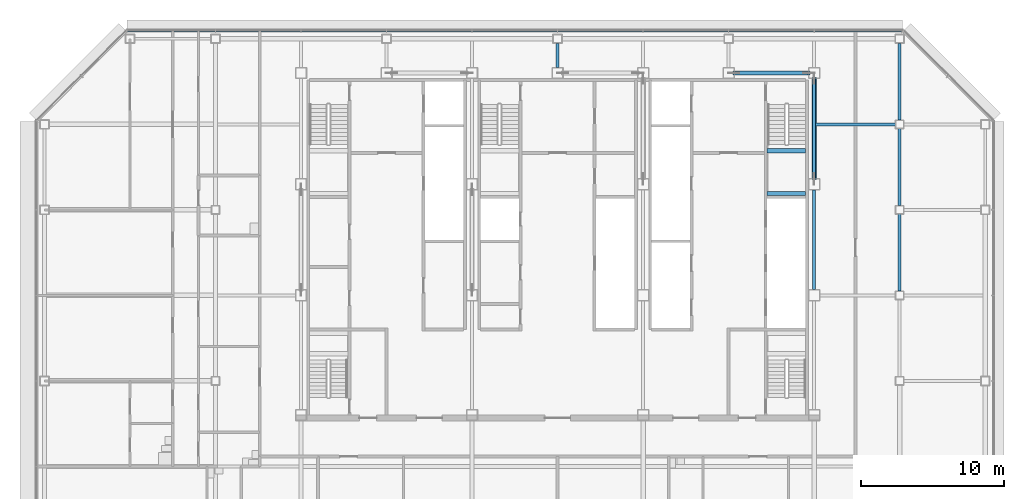
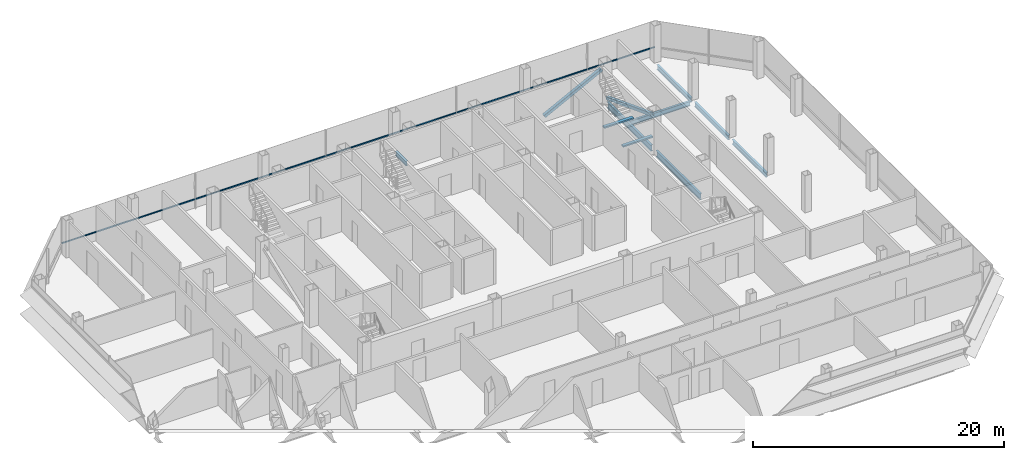
# One storey, part 14 of 26: 9 beams, 3 members, 1 element without a shape of its own.
"""IFC4 building model written with IfcOpenShell, lengths in metres."""

from ifc_helpers import new_model, si_unit, direction, frame, origin, origin_2d, place, context, subcontext, project, spatial, rectangle, hollow_rectangle, i_section, extrude, material, material_profile, profile_set, type_object, element, aggregate, save


model = new_model("IFC4")

# Units and contexts
model_context = context("Model", 3, precision=1e-05, world=origin(), true_north=direction((0.0, 1.0)))
body_context = subcontext(model_context, "Body", "Model", "MODEL_VIEW")
ifc_project = project(units=[si_unit("LENGTHUNIT", "METRE"), si_unit("AREAUNIT", "SQUARE_METRE"), si_unit("VOLUMEUNIT", "CUBIC_METRE"), si_unit("PLANEANGLEUNIT", "RADIAN"), si_unit("MASSUNIT", "GRAM", prefix="KILO")], contexts=[model_context])

# Site, building, storey
site_placement = place(None, origin())
site = spatial("IfcSite", under=ifc_project, at=site_placement, CompositionType="ELEMENT")
building_placement = place(site_placement, origin())
building = spatial("IfcBuilding", under=site, at=building_placement, Name="Sorahane Residences", CompositionType="ELEMENT")
storey_placement = place(building_placement, frame((0.0, 0.0, 222.60009765625)))
storey = spatial("IfcBuildingStorey", under=building, at=storey_placement, Name="L52", CompositionType="ELEMENT", Elevation=222.60009765625)

# Members
ifc_material_1 = material(Name="Steel Q355B", Category="steel")
ifc_material_profile_1 = material_profile(ifc_material_1, hollow_rectangle(XDim=0.300048828125, YDim=0.300048828125, WallThickness=0.01611328125, InnerFilletRadius=0.008056640625, OuterFilletRadius=0.02392578125, at=origin_2d()), Name="RHS 300x300x16")
ifc_profile_set_1 = profile_set([ifc_material_profile_1], Name="Steel Q355B")
member_type_1 = type_object("IfcMemberType", Name="Core brace RHS 300x300x16 Q355B", PredefinedType="BRACE", material=ifc_profile_set_1)
member_1_placement = place(storey_placement, frame((36.35888671875, 45.60009765625, 0.12890625), z_axis=(0.889590046837, 0.0, 0.45675983686), x_axis=(0.0, 1.0, 0.0)))
element("IfcMember", 1, at=member_1_placement, inside=storey, type_object=member_type_1, Name="Core brace L52 y45.6-6", PredefinedType="BRACE", context=body_context, shape_type="SweptSolid", body=[
    extrude(hollow_rectangle(XDim=0.300048828125, YDim=0.300048828125, WallThickness=0.01611328125, InnerFilletRadius=0.008056640625, OuterFilletRadius=0.02392578125, at=origin_2d()), origin(), (0.0, 0.0, 1.0), 5.937744140625),
])
member_2_placement = place(storey_placement, frame((42.0, 45.232177734375, 0.1376953125), z_axis=(0.0, -0.934346475268, 0.35636591329), x_axis=(1.0, 0.0, 0.0)))
element("IfcMember", 2, at=member_2_placement, inside=storey, type_object=member_type_1, Name="Core brace L52 x42-3", PredefinedType="BRACE", context=body_context, shape_type="SweptSolid", body=[
    extrude(hollow_rectangle(XDim=0.300048828125, YDim=0.300048828125, WallThickness=0.01611328125, InnerFilletRadius=0.008056640625, OuterFilletRadius=0.02392578125, at=origin_2d()), origin(), (0.0, 0.0, 1.0), 7.560546875),
])

# Curtain wall, member
ifc_material_2 = material(Name="Dark low-e glass and black anodised aluminium", Category="aluminium")
curtain_wall_type = type_object("IfcCurtainWallType", Name="Curtain wall CW-1 Typical unitised wall", PredefinedType="NOTDEFINED", material=ifc_material_2)
curtain_wall_placement = place(storey_placement, origin())
curtain_wall = element("IfcCurtainWall", 3, at=curtain_wall_placement, inside=storey, type_object=curtain_wall_type, Name="CW-1 curtain wall L52 N1", PredefinedType="NOTDEFINED")
ifc_material_3 = material(Name="Black anodised aluminium", Category="aluminium")
ifc_material_profile_2 = material_profile(ifc_material_3, rectangle(XDim=0.10009765625, YDim=0.06005859375, at=origin_2d()), Name="Curtain wall transom CW-1 black anodised aluminium 60x100")
ifc_profile_set_2 = profile_set([ifc_material_profile_2], Name="Black anodised aluminium")
member_type_2 = type_object("IfcMemberType", Name="Curtain wall transom CW-1 black anodised aluminium 60x100", PredefinedType="USERDEFINED", material=ifc_profile_set_2)
member_3_placement = place(storey_placement, frame((48.198486328125, 48.530029296875, 0.89990234375), z_axis=(-1.0, 0.0, 0.0), x_axis=(0.0, -1.0, 0.0)))
member_3 = element("IfcMember", 4, at=member_3_placement, type_object=member_type_2, Name="CW-1 transom L52 N1", ObjectType="TRANSOM", PredefinedType="USERDEFINED", context=body_context, shape_type="SweptSolid", body=[
    extrude(rectangle(XDim=0.10009765625, YDim=0.06005859375, at=origin_2d()), origin(), (0.0, 0.0, 1.0), 54.39697265625),
])
aggregate(curtain_wall, [member_3])

# Beams
ifc_material_4 = material(Name="Concrete C40", Category="concrete")
ifc_material_profile_3 = material_profile(ifc_material_4, rectangle(XDim=0.300048828125, YDim=0.139892578125, at=origin_2d()), Name="300x140")
ifc_profile_set_3 = profile_set([ifc_material_profile_3], Name="Concrete C40")
beam_type_1 = type_object("IfcBeamType", Name="RC landing beam 300 x 140 Concrete C40", PredefinedType="BEAM", material=ifc_profile_set_3)
for number, where, z_axis, x_axis, name in (
    (5, (38.699951171875, 37.14990234375, 1.52978515625), (1.0, 0.0, 0.0), (0.0, 1.0, 0.0), "Landing beam"),
    (6, (38.699951171875, 40.14990234375, 1.52978515625), (1.0, 0.0, 0.0), (0.0, 1.0, 0.0), "Landing beam"),
):
    element("IfcBeam", number, at=place(storey_placement, frame(where, z_axis=z_axis, x_axis=x_axis)), inside=storey, type_object=beam_type_1, Name=name, PredefinedType="BEAM", context=body_context, shape_type="SweptSolid", body=[
        extrude(rectangle(XDim=0.300048828125, YDim=0.139892578125, at=origin_2d()), origin(), (0.0, 0.0, 1.0), 2.699951171875),
    ])
ifc_material_5 = material(Name="Steel Q355B", Category="steel")
ifc_material_profile_4 = material_profile(ifc_material_5, i_section(OverallWidth=0.199951171875, OverallDepth=0.449951171875, WebThickness=0.009033203125, FlangeThickness=0.013916015625, FilletRadius=0.02001953125, at=origin_2d()), Name="HN 450x200x9x14")
ifc_profile_set_4 = profile_set([ifc_material_profile_4], Name="Steel Q355B")
beam_type_2 = type_object("IfcBeamType", Name="Steel floor beam HN 450x200x9x14 Q355B", PredefinedType="BEAM", material=ifc_profile_set_4)
beam_1_placement = place(storey_placement, frame((24.0, 46.0, -0.405029296875), z_axis=(0.0, 1.0, 0.0), x_axis=(-1.0, 0.0, 0.0)))
element("IfcBeam", 7, at=beam_1_placement, inside=storey, type_object=beam_type_2, Name="Beam L52 043", PredefinedType="BEAM", context=body_context, shape_type="SweptSolid", body=[
    extrude(i_section(OverallWidth=0.199951171875, OverallDepth=0.449951171875, WebThickness=0.009033203125, FlangeThickness=0.013916015625, FilletRadius=0.02001953125, at=origin_2d()), origin(), (0.0, 0.0, 1.0), 1.675048828125),
])
for number, where, z_axis, x_axis, name in (
    (8, (48.0, 30.300048828125, -0.405029296875), (0.0, 1.0, 0.0), (-1.0, 0.0, 0.0), "Beam L52 061"),
    (9, (48.0, 36.300048828125, -0.405029296875), (0.0, 1.0, 0.0), (-1.0, 0.0, 0.0), "Beam L52 062"),
):
    element("IfcBeam", number, at=place(storey_placement, frame(where, z_axis=z_axis, x_axis=x_axis)), inside=storey, type_object=beam_type_2, Name=name, PredefinedType="BEAM", context=body_context, shape_type="SweptSolid", body=[
        extrude(i_section(OverallWidth=0.199951171875, OverallDepth=0.449951171875, WebThickness=0.009033203125, FlangeThickness=0.013916015625, FilletRadius=0.02001953125, at=origin_2d()), origin(), (0.0, 0.0, 1.0), 5.39990234375),
    ])
beam_2_placement = place(storey_placement, frame((48.0, 42.300048828125, -0.405029296875), z_axis=(0.0, 1.0, 0.0), x_axis=(-1.0, 0.0, 0.0)))
element("IfcBeam", 10, at=beam_2_placement, inside=storey, type_object=beam_type_2, Name="Beam L52 063", PredefinedType="BEAM", context=body_context, shape_type="SweptSolid", body=[
    extrude(i_section(OverallWidth=0.199951171875, OverallDepth=0.449951171875, WebThickness=0.009033203125, FlangeThickness=0.013916015625, FilletRadius=0.02001953125, at=origin_2d()), origin(), (0.0, 0.0, 1.0), 5.375),
])
beam_3_placement = place(storey_placement, frame((42.10009765625, 42.0, -0.405029296875), z_axis=(1.0, 0.0, 0.0), x_axis=(0.0, 1.0, 0.0)))
element("IfcBeam", 11, at=beam_3_placement, inside=storey, type_object=beam_type_2, Name="Beam L52 091", PredefinedType="BEAM", context=body_context, shape_type="SweptSolid", body=[
    extrude(i_section(OverallWidth=0.199951171875, OverallDepth=0.449951171875, WebThickness=0.009033203125, FlangeThickness=0.013916015625, FilletRadius=0.02001953125, at=origin_2d()), origin(), (0.0, 0.0, 1.0), 5.599853515625),
])
ifc_material_6 = material(Name="Steel Q355B", Category="steel")
ifc_material_profile_5 = material_profile(ifc_material_6, i_section(OverallWidth=0.199951171875, OverallDepth=0.60009765625, WebThickness=0.010986328125, FlangeThickness=0.01708984375, FilletRadius=0.02392578125, at=origin_2d()), Name="HN 600x200x11x17")
ifc_profile_set_5 = profile_set([ifc_material_profile_5], Name="Steel Q355B")
beam_type_3 = type_object("IfcBeamType", Name="Steel floor beam HN 600x200x11x17 Q355B", PredefinedType="BEAM", material=ifc_profile_set_5)
for number, where, z_axis, x_axis, name in (
    (12, (42.0, 30.39990234375, -0.47998046875), (0.0, 1.0, 0.0), (-1.0, 0.0, 0.0), "Beam L52 055"),
    (13, (42.0, 38.199951171875, -0.47998046875), (0.0, 1.0, 0.0), (-1.0, 0.0, 0.0), "Beam L52 056"),
):
    element("IfcBeam", number, at=place(storey_placement, frame(where, z_axis=z_axis, x_axis=x_axis)), inside=storey, type_object=beam_type_3, Name=name, PredefinedType="BEAM", context=body_context, shape_type="SweptSolid", body=[
        extrude(i_section(OverallWidth=0.199951171875, OverallDepth=0.60009765625, WebThickness=0.010986328125, FlangeThickness=0.01708984375, FilletRadius=0.02392578125, at=origin_2d()), origin(), (0.0, 0.0, 1.0), 7.0),
    ])

save(model, "model.ifc")
